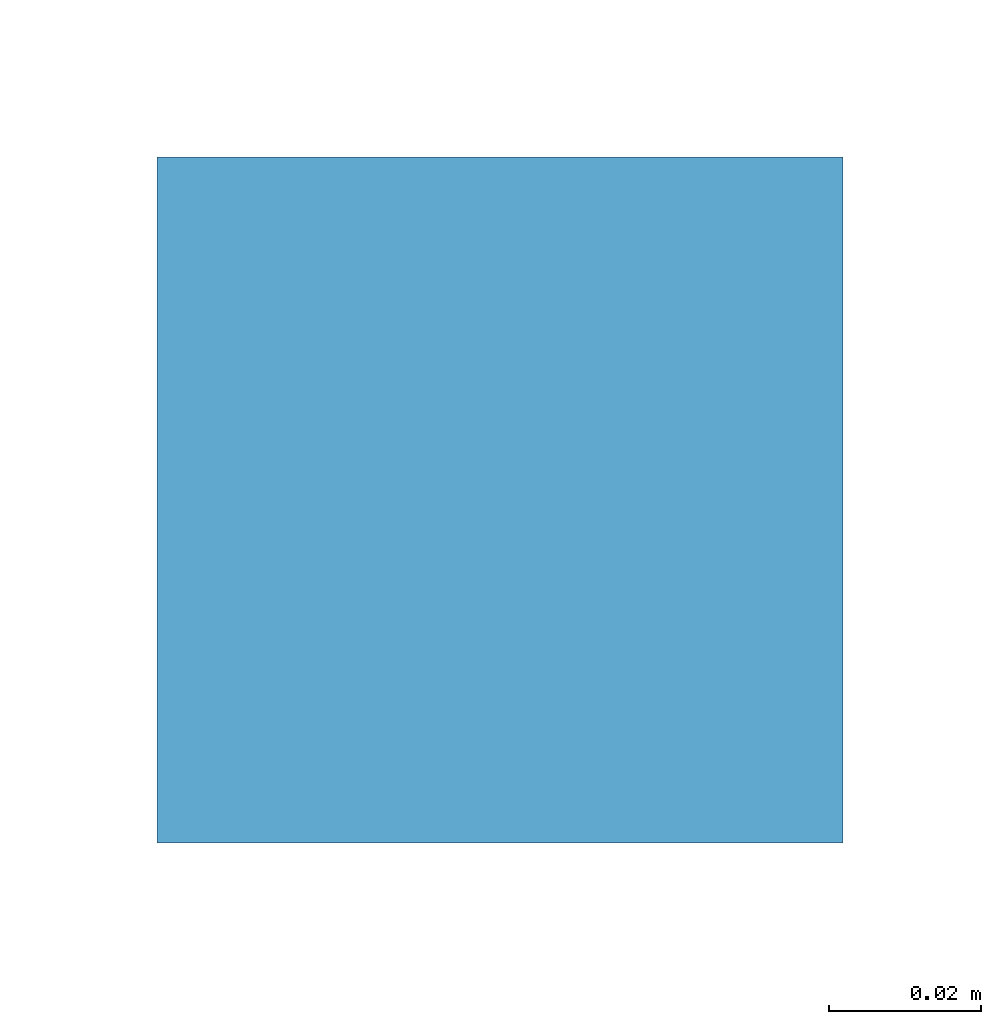
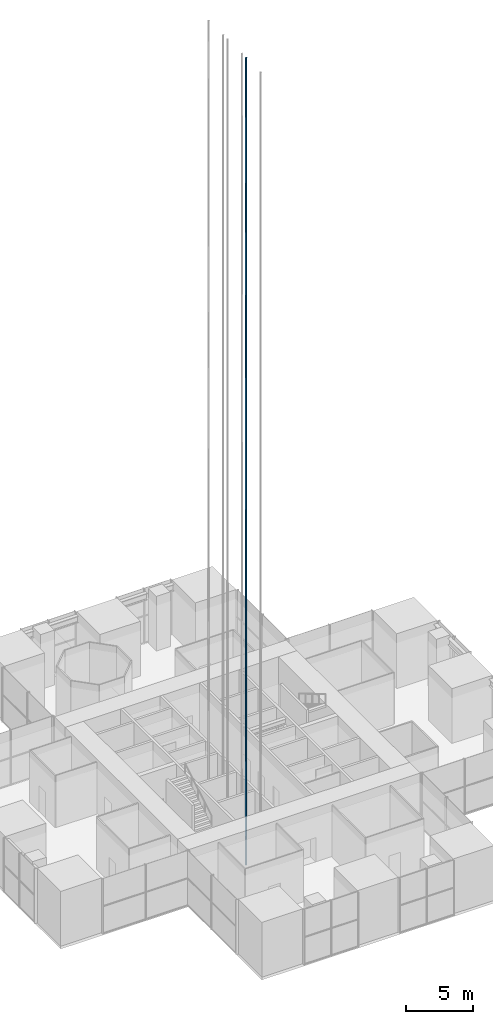
# One storey, part 9 of 16: 1 discrete accessory.
"""IFC4 building model written with IfcOpenShell, lengths in metres."""

from ifc_helpers import new_model, si_unit, direction, frame, origin, origin_2d, place, context, subcontext, project, spatial, rectangle, extrude, element, save


model = new_model("IFC4")

# Units and contexts
model_context = context("Model", 3, precision=1e-05, world=origin(), true_north=direction((0.0, 1.0)))
body_context = subcontext(model_context, "Body", "Model", "MODEL_VIEW")
ifc_project = project(units=[si_unit("LENGTHUNIT", "METRE"), si_unit("AREAUNIT", "SQUARE_METRE"), si_unit("VOLUMEUNIT", "CUBIC_METRE"), si_unit("PLANEANGLEUNIT", "RADIAN"), si_unit("MASSUNIT", "GRAM", prefix="KILO")], contexts=[model_context])

# Site, building, storey
site_placement = place(None, origin())
site = spatial("IfcSite", under=ifc_project, at=site_placement, CompositionType="ELEMENT")
building_placement = place(site_placement, origin())
building = spatial("IfcBuilding", under=site, at=building_placement, Name="Svetlomir Tower", CompositionType="ELEMENT")
storey_placement = place(building_placement, frame((0.0, 0.0, 91.5)))
storey = spatial("IfcBuildingStorey", under=building, at=storey_placement, Name="L21", CompositionType="ELEMENT", Elevation=91.5)

# Discrete accessory
discrete_accessory_placement = place(storey_placement, frame((18.300048828125, 14.97509765625, -1.400146484375), z_axis=(0.0, 0.0, 1.0), x_axis=(1.0, 0.0, 0.0)))
element("IfcDiscreteAccessory", 1, at=discrete_accessory_placement, inside=storey, Name="Lift LB1 guide rail 2", ObjectType="LIFT GUIDE RAIL", PredefinedType="USERDEFINED", context=body_context, shape_type="SweptSolid", body=[
    extrude(rectangle(XDim=0.090087890625, YDim=0.090087890625, at=origin_2d()), origin(), (0.0, 0.0, 1.0), 73.60009765625),
])

save(model, "model.ifc")
